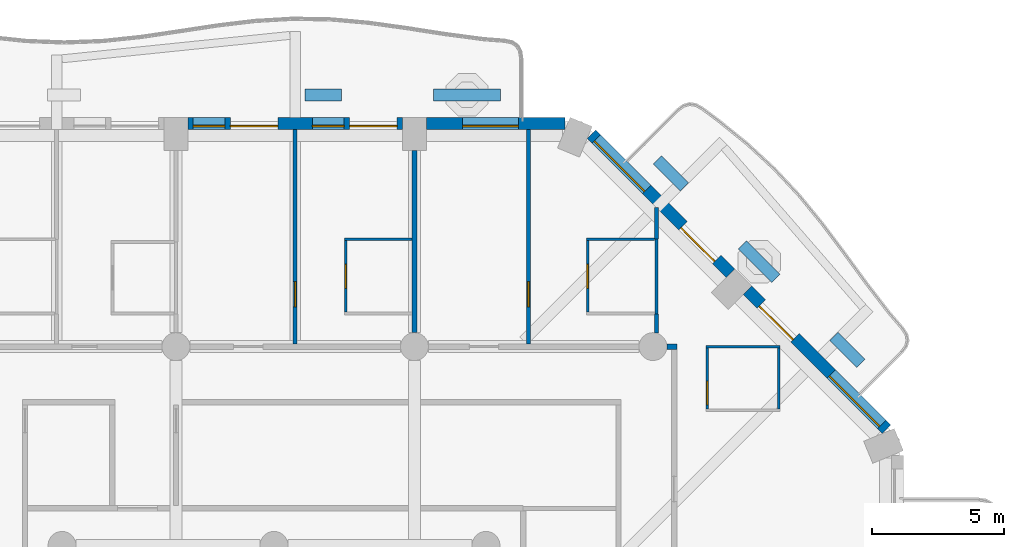
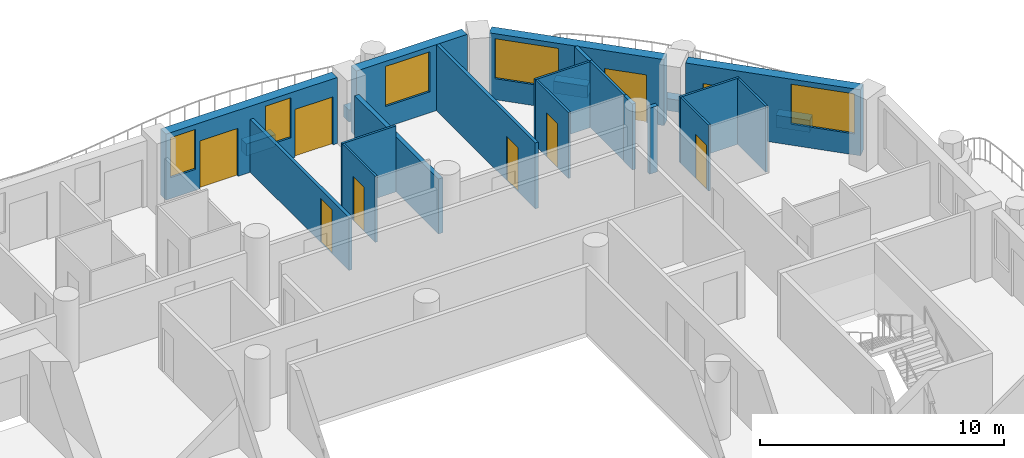
# One storey, part 10 of 20: 23 walls, 9 doors, 5 windows, 14 openings.
"""IFC4 building model written with IfcOpenShell, lengths in metres."""

from ifc_helpers import new_model, si_unit, direction, frame, frame_2d, origin, place, context, subcontext, project, spatial, rectangle, extrude, material, layer, layer_set, type_object, element, fill, save


model = new_model("IFC4")

# Units and contexts
model_context = context("Model", 3, precision=1e-05, world=origin(), true_north=direction((0.0, 1.0)))
body_context = subcontext(model_context, "Body", "Model", "MODEL_VIEW")
ifc_project = project(units=[si_unit("LENGTHUNIT", "METRE"), si_unit("AREAUNIT", "SQUARE_METRE"), si_unit("VOLUMEUNIT", "CUBIC_METRE"), si_unit("PLANEANGLEUNIT", "RADIAN"), si_unit("MASSUNIT", "GRAM", prefix="KILO")], contexts=[model_context])

# Site, building, storey
site_placement = place(None, origin())
site = spatial("IfcSite", under=ifc_project, at=site_placement, CompositionType="ELEMENT")
building_placement = place(site_placement, origin())
building = spatial("IfcBuilding", under=site, at=building_placement, Name="Cypress Arch Tower", CompositionType="ELEMENT")
storey_placement = place(building_placement, frame((0.0, 0.0, 109.5)))
storey = spatial("IfcBuildingStorey", under=building, at=storey_placement, Name="L22", CompositionType="ELEMENT", Elevation=109.5)

# Walls
ifc_material_1 = material(Name="Concrete C40/50, waterproofed", Category="concrete")
ifc_layer_1 = layer(ifc_material_1, 0.449951171875)
ifc_layer_set_1 = layer_set([ifc_layer_1], Name="Balcony planter wall PW450")
wall_type_1 = type_object("IfcWallType", Name="Balcony planter wall PW450", PredefinedType="SOLIDWALL", material=ifc_layer_set_1)
wall_1_placement = place(storey_placement, frame((23.150390625, 16.86376953125, 0.0), z_axis=(0.0, 0.0, 1.0), x_axis=(-0.707106781187, 0.707106781187, 0.0)))
element("IfcWall", 1, at=wall_1_placement, inside=storey, type_object=wall_type_1, Name="Balcony planter wall L22-A07.1", PredefinedType="SOLIDWALL", context=body_context, shape_type="SweptSolid", body=[
    extrude(rectangle(XDim=1.44482421875, YDim=0.449951171875, at=frame_2d((0.722412109375, 0.0))), origin(), (0.0, 0.0, 1.0), 0.60009765625),
])
wall_2_placement = place(storey_placement, frame((19.9365234375, 20.07763671875, 0.0), z_axis=(0.0, 0.0, 1.0), x_axis=(-0.707106781187, 0.707106781187, 0.0)))
element("IfcWall", 2, at=wall_2_placement, inside=storey, type_object=wall_type_1, Name="Balcony planter wall L22-A07.2", PredefinedType="SOLIDWALL", context=body_context, shape_type="SweptSolid", body=[
    extrude(rectangle(XDim=1.780517578125, YDim=0.449951171875, at=frame_2d((0.89013671875, 0.0))), origin(), (0.0, 0.0, 1.0), 0.60009765625),
])
wall_3_placement = place(storey_placement, frame((16.485595703125, 23.528564453125, 0.0), z_axis=(0.0, 0.0, 1.0), x_axis=(-0.707022305137, 0.707191247145, 0.0)))
element("IfcWall", 3, at=wall_3_placement, inside=storey, type_object=wall_type_1, Name="Balcony planter wall L22-A07.3", PredefinedType="SOLIDWALL", context=body_context, shape_type="SweptSolid", body=[
    extrude(rectangle(XDim=1.445068359375, YDim=0.449951171875, at=frame_2d((0.72265625, 0.0))), origin(), (0.0, 0.0, 1.0), 0.60009765625),
])
wall_4_placement = place(storey_placement, frame((9.550048828125, 27.0, 0.0), z_axis=(0.0, 0.0, 1.0), x_axis=(-1.0, 0.0, 0.0)))
element("IfcWall", 4, at=wall_4_placement, inside=storey, type_object=wall_type_1, Name="Balcony planter wall L22-A08.1", PredefinedType="SOLIDWALL", context=body_context, shape_type="SweptSolid", body=[
    extrude(rectangle(XDim=2.53759765625, YDim=0.449951171875, at=frame_2d((1.268798828125, 0.0))), origin(), (0.0, 0.0, 1.0), 0.60009765625),
])
wall_5_placement = place(storey_placement, frame((3.550048828125, 27.0, 0.0), z_axis=(0.0, 0.0, 1.0), x_axis=(-1.0, 0.0, 0.0)))
element("IfcWall", 5, at=wall_5_placement, inside=storey, type_object=wall_type_1, Name="Balcony planter wall L22-A08.2", PredefinedType="SOLIDWALL", context=body_context, shape_type="SweptSolid", body=[
    extrude(rectangle(XDim=1.375, YDim=0.449951171875, at=frame_2d((0.6875, 0.0))), origin(), (0.0, 0.0, 1.0), 0.60009765625),
])

# Wall, openings, door, window
ifc_material_2 = material(Name="Brick (red buff blend)", Category="masonry")
ifc_layer_2 = layer(ifc_material_2, 0.449951171875)
ifc_layer_set_2 = layer_set([ifc_layer_2], Name="Brick pier and spandrel wall BW450")
wall_type_2 = type_object("IfcWallType", Name="Brick pier and spandrel wall BW450", PredefinedType="SOLIDWALL", material=ifc_layer_set_2)
wall_6_placement = place(storey_placement, frame((24.11474609375, 14.379150390625, 0.0), z_axis=(0.0, 0.0, 1.0), x_axis=(-0.707106781187, 0.707106781187, 0.0)))
wall_6 = element("IfcWall", 6, at=wall_6_placement, inside=storey, type_object=wall_type_2, Name="Brick wall L22 A07.0", PredefinedType="SOLIDWALL", context=body_context, shape_type="SweptSolid", body=[
    extrude(rectangle(XDim=7.423828125, YDim=0.449951171875, at=frame_2d((3.7119140625, 0.0))), origin(), (0.0, 0.0, 1.0), 3.300048828125),
])
opening_1_placement = place(wall_6_placement, frame((0.253173828125, 0.0, 1.050048828125)))
opening_1 = element("IfcOpeningElement", 7, at=opening_1_placement, cuts=wall_6, Name="Opening W270HD", PredefinedType="OPENING", context=body_context, shape_type="SweptSolid", body=[
    extrude(rectangle(XDim=2.699951171875, YDim=2.0, at=frame_2d((1.35009765625, 1.0))), frame((0.0, 0.23486328125, 0.0), z_axis=(0.0, -1.0, 0.0), x_axis=(1.0, 0.0, 0.0)), (0.0, 0.0, 1.0), 0.469970703125),
])
opening_2_placement = place(wall_6_placement, frame((4.8837890625, 0.0, 0.0)))
opening_2 = element("IfcOpeningElement", 8, at=opening_2_placement, cuts=wall_6, Name="Opening D-L22-A07.0.2", PredefinedType="OPENING", context=body_context, shape_type="SweptSolid", body=[
    extrude(rectangle(XDim=1.800048828125, YDim=2.39990234375, at=frame_2d((0.89990234375, 1.199951171875))), frame((0.0, 0.23486328125, 0.0), z_axis=(0.0, -1.0, 0.0), x_axis=(1.0, 0.0, 0.0)), (0.0, 0.0, 1.0), 0.469970703125),
])
ifc_material_3 = material(Name="Anodised aluminium, bronze finish, laminated low-emissivity double glazing, large-missile impact rated", Category="aluminium")
door_type_1 = type_object("IfcDoorType", Name="Balcony sliding door 1800x2400", OperationType="SLIDING_TO_LEFT", PredefinedType="DOOR", material=ifc_material_3)
door_1_placement = place(opening_2_placement, origin())
door_1 = element("IfcDoor", 9, at=door_1_placement, inside=storey, type_object=door_type_1, Name="Balcony door L22 A07.0.2", OperationType="SLIDING_TO_LEFT", OverallHeight=2.39990234375, OverallWidth=1.800048828125, PredefinedType="DOOR", context=body_context, shape_type="SweptSolid", body=[
    extrude(rectangle(XDim=1.800048828125, YDim=2.39990234375, at=frame_2d((0.89990234375, 1.199951171875))), frame((0.0, 0.1298828125, 0.0), z_axis=(0.0, -1.0, 0.0), x_axis=(1.0, 0.0, 0.0)), (0.0, 0.0, 1.0), 0.050048828125),
])
fill(opening_2, door_1)
ifc_material_4 = material(Name="Anodised aluminium, bronze finish, laminated low-emissivity double glazing, large-missile impact rated", Category="aluminium")
window_type_1 = type_object("IfcWindowType", Name="Window Hotel 2700x2000 debris-rated", PartitioningType="SINGLE_PANEL", PredefinedType="WINDOW", material=ifc_material_4)
window_1_placement = place(opening_1_placement, origin())
window_1 = element("IfcWindow", 10, at=window_1_placement, inside=storey, type_object=window_type_1, Name="Window L22 A07.0.1", OverallHeight=2.0, OverallWidth=2.699951171875, PartitioningType="SINGLE_PANEL", PredefinedType="WINDOW", context=body_context, shape_type="SweptSolid", body=[
    extrude(rectangle(XDim=2.699951171875, YDim=2.0, at=frame_2d((1.35009765625, 1.0))), frame((0.0, 0.135009765625, 0.0), z_axis=(0.0, -1.0, 0.0), x_axis=(1.0, 0.0, 0.0)), (0.0, 0.0, 1.0), 0.06005859375),
])
fill(opening_1, window_1)

wall_7_placement = place(storey_placement, frame((18.228759765625, 20.26513671875, 0.0), z_axis=(0.0, 0.0, 1.0), x_axis=(-0.707106781187, 0.707106781187, 0.0)))
wall_7 = element("IfcWall", 11, at=wall_7_placement, inside=storey, type_object=wall_type_2, Name="Brick wall L22 A07.1", PredefinedType="SOLIDWALL", context=body_context, shape_type="SweptSolid", body=[
    extrude(rectangle(XDim=7.423828125, YDim=0.449951171875, at=frame_2d((3.7119140625, 0.0))), origin(), (0.0, 0.0, 1.0), 3.300048828125),
])
opening_3_placement = place(wall_7_placement, frame((0.740234375, 0.0, 0.0)))
opening_3 = element("IfcOpeningElement", 12, at=opening_3_placement, cuts=wall_7, Name="Opening D-L22-A07.1.1", PredefinedType="OPENING", context=body_context, shape_type="SweptSolid", body=[
    extrude(rectangle(XDim=1.800048828125, YDim=2.39990234375, at=frame_2d((0.89990234375, 1.199951171875))), frame((0.0, 0.23486328125, 0.0), z_axis=(0.0, -1.0, 0.0), x_axis=(1.0, 0.0, 0.0)), (0.0, 0.0, 1.0), 0.469970703125),
])
opening_4_placement = place(wall_7_placement, frame((4.470703125, 0.0, 1.050048828125)))
opening_4 = element("IfcOpeningElement", 13, at=opening_4_placement, cuts=wall_7, Name="Opening W270HD", PredefinedType="OPENING", context=body_context, shape_type="SweptSolid", body=[
    extrude(rectangle(XDim=2.699951171875, YDim=2.0, at=frame_2d((1.35009765625, 1.0))), frame((0.0, 0.23486328125, 0.0), z_axis=(0.0, -1.0, 0.0), x_axis=(1.0, 0.0, 0.0)), (0.0, 0.0, 1.0), 0.469970703125),
])
door_2_placement = place(opening_3_placement, origin())
door_2 = element("IfcDoor", 14, at=door_2_placement, inside=storey, type_object=door_type_1, Name="Balcony door L22 A07.1.1", OperationType="SLIDING_TO_LEFT", OverallHeight=2.39990234375, OverallWidth=1.800048828125, PredefinedType="DOOR", context=body_context, shape_type="SweptSolid", body=[
    extrude(rectangle(XDim=1.800048828125, YDim=2.39990234375, at=frame_2d((0.89990234375, 1.199951171875))), frame((0.0, 0.1298828125, 0.0), z_axis=(0.0, -1.0, 0.0), x_axis=(1.0, 0.0, 0.0)), (0.0, 0.0, 1.0), 0.050048828125),
])
fill(opening_3, door_2)
window_2_placement = place(opening_4_placement, origin())
window_2 = element("IfcWindow", 15, at=window_2_placement, inside=storey, type_object=window_type_1, Name="Window L22 A07.1.2", OverallHeight=2.0, OverallWidth=2.699951171875, PartitioningType="SINGLE_PANEL", PredefinedType="WINDOW", context=body_context, shape_type="SweptSolid", body=[
    extrude(rectangle(XDim=2.699951171875, YDim=2.0, at=frame_2d((1.35009765625, 1.0))), frame((0.0, 0.135009765625, 0.0), z_axis=(0.0, -1.0, 0.0), x_axis=(1.0, 0.0, 0.0)), (0.0, 0.0, 1.0), 0.06005859375),
])
fill(opening_4, window_2)

# Wall, opening, window
wall_8_placement = place(storey_placement, frame((11.98876953125, 25.925048828125, 0.0), z_axis=(0.0, 0.0, 1.0), x_axis=(-1.0, 0.0, 0.0)))
wall_8 = element("IfcWall", 16, at=wall_8_placement, inside=storey, type_object=wall_type_2, Name="Brick wall L22 A08.0", PredefinedType="SOLIDWALL", context=body_context, shape_type="SweptSolid", body=[
    extrude(rectangle(XDim=5.23876953125, YDim=0.449951171875, at=frame_2d((2.619384765625, 0.0))), origin(), (0.0, 0.0, 1.0), 3.300048828125),
])
opening_5_placement = place(wall_8_placement, frame((1.769775390625, 0.0, 1.050048828125)))
opening_5 = element("IfcOpeningElement", 17, at=opening_5_placement, cuts=wall_8, Name="Opening W210HD", PredefinedType="OPENING", context=body_context, shape_type="SweptSolid", body=[
    extrude(rectangle(XDim=2.10009765625, YDim=2.0, at=frame_2d((1.050048828125, 1.0))), frame((0.0, 0.23486328125, 0.0), z_axis=(0.0, -1.0, 0.0), x_axis=(1.0, 0.0, 0.0)), (0.0, 0.0, 1.0), 0.469970703125),
])
ifc_material_5 = material(Name="Anodised aluminium, bronze finish, laminated low-emissivity double glazing, large-missile impact rated", Category="aluminium")
window_type_2 = type_object("IfcWindowType", Name="Window Hotel 2100x2000 debris-rated", PartitioningType="SINGLE_PANEL", PredefinedType="WINDOW", material=ifc_material_5)
window_3_placement = place(opening_5_placement, origin())
window_3 = element("IfcWindow", 18, at=window_3_placement, inside=storey, type_object=window_type_2, Name="Window L22 A08.0.1", OverallHeight=2.0, OverallWidth=2.10009765625, PartitioningType="SINGLE_PANEL", PredefinedType="WINDOW", context=body_context, shape_type="SweptSolid", body=[
    extrude(rectangle(XDim=2.10009765625, YDim=2.0, at=frame_2d((1.050048828125, 1.0))), frame((0.0, 0.135009765625, 0.0), z_axis=(0.0, -1.0, 0.0), x_axis=(1.0, 0.0, 0.0)), (0.0, 0.0, 1.0), 0.06005859375),
])
fill(opening_5, window_3)

# Wall, openings, doors, windows
wall_9_placement = place(storey_placement, frame((5.85009765625, 25.925048828125, 0.0), z_axis=(0.0, 0.0, 1.0), x_axis=(-1.0, 0.0, 0.0)))
wall_9 = element("IfcWall", 19, at=wall_9_placement, inside=storey, type_object=wall_type_2, Name="Brick wall L22 A08.1", PredefinedType="SOLIDWALL", context=body_context, shape_type="SweptSolid", body=[
    extrude(rectangle(XDim=8.10009765625, YDim=0.449951171875, at=frame_2d((4.050048828125, 0.0))), origin(), (0.0, 0.0, 1.0), 3.300048828125),
])
opening_6_placement = place(wall_9_placement, frame((0.199951171875, 0.0, 0.0)))
opening_6 = element("IfcOpeningElement", 20, at=opening_6_placement, cuts=wall_9, Name="Opening D-L22-A08.1.1", PredefinedType="OPENING", context=body_context, shape_type="SweptSolid", body=[
    extrude(rectangle(XDim=1.800048828125, YDim=2.39990234375, at=frame_2d((0.89990234375, 1.199951171875))), frame((0.0, 0.23486328125, 0.0), z_axis=(0.0, -1.0, 0.0), x_axis=(1.0, 0.0, 0.0)), (0.0, 0.0, 1.0), 0.469970703125),
])
opening_7_placement = place(wall_9_placement, frame((2.199951171875, 0.0, 1.050048828125)))
opening_7 = element("IfcOpeningElement", 21, at=opening_7_placement, cuts=wall_9, Name="Opening W120HD", PredefinedType="OPENING", context=body_context, shape_type="SweptSolid", body=[
    extrude(rectangle(XDim=1.199951171875, YDim=2.0, at=frame_2d((0.60009765625, 1.0))), frame((0.0, 0.23486328125, 0.0), z_axis=(0.0, -1.0, 0.0), x_axis=(1.0, 0.0, 0.0)), (0.0, 0.0, 1.0), 0.469970703125),
])
opening_8_placement = place(wall_9_placement, frame((4.699951171875, 0.0, 0.0)))
opening_8 = element("IfcOpeningElement", 22, at=opening_8_placement, cuts=wall_9, Name="Opening D-L22-A08.1.2", PredefinedType="OPENING", context=body_context, shape_type="SweptSolid", body=[
    extrude(rectangle(XDim=1.800048828125, YDim=2.39990234375, at=frame_2d((0.89990234375, 1.199951171875))), frame((0.0, 0.23486328125, 0.0), z_axis=(0.0, -1.0, 0.0), x_axis=(1.0, 0.0, 0.0)), (0.0, 0.0, 1.0), 0.469970703125),
])
opening_9_placement = place(wall_9_placement, frame((6.699951171875, 0.0, 1.050048828125)))
opening_9 = element("IfcOpeningElement", 23, at=opening_9_placement, cuts=wall_9, Name="Opening W120HD", PredefinedType="OPENING", context=body_context, shape_type="SweptSolid", body=[
    extrude(rectangle(XDim=1.199951171875, YDim=2.0, at=frame_2d((0.60009765625, 1.0))), frame((0.0, 0.23486328125, 0.0), z_axis=(0.0, -1.0, 0.0), x_axis=(1.0, 0.0, 0.0)), (0.0, 0.0, 1.0), 0.469970703125),
])
door_3_placement = place(opening_6_placement, origin())
door_3 = element("IfcDoor", 24, at=door_3_placement, inside=storey, type_object=door_type_1, Name="Balcony door L22 A08.1.1", OperationType="SLIDING_TO_LEFT", OverallHeight=2.39990234375, OverallWidth=1.800048828125, PredefinedType="DOOR", context=body_context, shape_type="SweptSolid", body=[
    extrude(rectangle(XDim=1.800048828125, YDim=2.39990234375, at=frame_2d((0.89990234375, 1.199951171875))), frame((0.0, 0.1298828125, 0.0), z_axis=(0.0, -1.0, 0.0), x_axis=(1.0, 0.0, 0.0)), (0.0, 0.0, 1.0), 0.050048828125),
])
fill(opening_6, door_3)
door_4_placement = place(opening_8_placement, origin())
door_4 = element("IfcDoor", 25, at=door_4_placement, inside=storey, type_object=door_type_1, Name="Balcony door L22 A08.1.2", OperationType="SLIDING_TO_LEFT", OverallHeight=2.39990234375, OverallWidth=1.800048828125, PredefinedType="DOOR", context=body_context, shape_type="SweptSolid", body=[
    extrude(rectangle(XDim=1.800048828125, YDim=2.39990234375, at=frame_2d((0.89990234375, 1.199951171875))), frame((0.0, 0.1298828125, 0.0), z_axis=(0.0, -1.0, 0.0), x_axis=(1.0, 0.0, 0.0)), (0.0, 0.0, 1.0), 0.050048828125),
])
fill(opening_8, door_4)
ifc_material_6 = material(Name="Anodised aluminium, bronze finish, laminated low-emissivity double glazing, large-missile impact rated", Category="aluminium")
window_type_3 = type_object("IfcWindowType", Name="Window Hotel 1200x2000 debris-rated", PartitioningType="SINGLE_PANEL", PredefinedType="WINDOW", material=ifc_material_6)
window_4_placement = place(opening_7_placement, origin())
window_4 = element("IfcWindow", 26, at=window_4_placement, inside=storey, type_object=window_type_3, Name="Window L22 A08.1.1", OverallHeight=2.0, OverallWidth=1.199951171875, PartitioningType="SINGLE_PANEL", PredefinedType="WINDOW", context=body_context, shape_type="SweptSolid", body=[
    extrude(rectangle(XDim=1.199951171875, YDim=2.0, at=frame_2d((0.60009765625, 1.0))), frame((0.0, 0.135009765625, 0.0), z_axis=(0.0, -1.0, 0.0), x_axis=(1.0, 0.0, 0.0)), (0.0, 0.0, 1.0), 0.06005859375),
])
fill(opening_7, window_4)
window_5_placement = place(opening_9_placement, origin())
window_5 = element("IfcWindow", 27, at=window_5_placement, inside=storey, type_object=window_type_3, Name="Window L22 A08.1.2", OverallHeight=2.0, OverallWidth=1.199951171875, PartitioningType="SINGLE_PANEL", PredefinedType="WINDOW", context=body_context, shape_type="SweptSolid", body=[
    extrude(rectangle(XDim=1.199951171875, YDim=2.0, at=frame_2d((0.60009765625, 1.0))), frame((0.0, 0.135009765625, 0.0), z_axis=(0.0, -1.0, 0.0), x_axis=(1.0, 0.0, 0.0)), (0.0, 0.0, 1.0), 0.06005859375),
])
fill(opening_9, window_5)

# Wall
ifc_material_7 = material(Name="Concrete blockwork, plastered, rated", Category="masonry")
ifc_layer_3 = layer(ifc_material_7, 0.199951171875)
ifc_layer_set_3 = layer_set([ifc_layer_3], Name="Corridor wall FW200")
wall_type_3 = type_object("IfcWallType", Name="Corridor wall FW200", PredefinedType="PARTITIONING", material=ifc_layer_set_3)
wall_10_placement = place(storey_placement, frame((15.824951171875, 17.5, 0.0), z_axis=(0.0, 0.0, 1.0), x_axis=(1.0, 0.0, 0.0)))
element("IfcWall", 28, at=wall_10_placement, inside=storey, type_object=wall_type_3, Name="Corridor wall", PredefinedType="PARTITIONING", context=body_context, shape_type="SweptSolid", body=[
    extrude(rectangle(XDim=0.375, YDim=0.199951171875, at=frame_2d((0.1875, 0.0))), origin(), (0.0, 0.0, 1.0), 3.300048828125),
])

# Wall, opening, door
ifc_material_8 = material(Name="Blockwork, plastered both sides", Category="masonry")
ifc_layer_4 = layer(ifc_material_8, 0.14990234375)
ifc_layer_set_4 = layer_set([ifc_layer_4], Name="Partition PW150")
wall_type_4 = type_object("IfcWallType", Name="Partition PW150", PredefinedType="PARTITIONING", material=ifc_layer_set_4)
wall_11_placement = place(storey_placement, frame((1.800048828125, 17.60009765625, 0.0), z_axis=(0.0, 0.0, 1.0), x_axis=(0.0, 1.0, 0.0)))
wall_11 = element("IfcWall", 29, at=wall_11_placement, inside=storey, type_object=wall_type_4, Name="Partition", PredefinedType="PARTITIONING", context=body_context, shape_type="SweptSolid", body=[
    extrude(rectangle(XDim=8.099853515625, YDim=0.14990234375, at=frame_2d((4.0498046875, 0.0))), origin(), (0.0, 0.0, 1.0), 2.64990234375),
])
opening_10_placement = place(wall_11_placement, frame((1.39990234375, 0.0, 0.0)))
opening_10 = element("IfcOpeningElement", 30, at=opening_10_placement, cuts=wall_11, Name="Opening D12", PredefinedType="OPENING", context=body_context, shape_type="SweptSolid", body=[
    extrude(rectangle(XDim=0.949951171875, YDim=2.199951171875, at=frame_2d((0.47509765625, 1.10009765625))), frame((0.0, 0.0849609375, 0.0), z_axis=(0.0, -1.0, 0.0), x_axis=(1.0, 0.0, 0.0)), (0.0, 0.0, 1.0), 0.169921875),
])
ifc_material_9 = material(Name="Timber flush door", Category="wood")
door_type_2 = type_object("IfcDoorType", Name="Room door D12 950x2200", OperationType="SINGLE_SWING_LEFT", PredefinedType="DOOR", material=ifc_material_9)
door_5_placement = place(opening_10_placement, origin())
door_5 = element("IfcDoor", 31, at=door_5_placement, inside=storey, type_object=door_type_2, Name="Room door", OperationType="SINGLE_SWING_LEFT", OverallHeight=2.199951171875, OverallWidth=0.949951171875, PredefinedType="DOOR", context=body_context, shape_type="SweptSolid", body=[
    extrude(rectangle(XDim=0.949951171875, YDim=2.199951171875, at=frame_2d((0.47509765625, 1.10009765625))), frame((0.0, 0.02490234375, 0.0), z_axis=(0.0, -1.0, 0.0), x_axis=(1.0, 0.0, 0.0)), (0.0, 0.0, 1.0), 0.050048828125),
])
fill(opening_10, door_5)

wall_12_placement = place(storey_placement, frame((10.60009765625, 17.60009765625, 0.0), z_axis=(0.0, 0.0, 1.0), x_axis=(0.0, 1.0, 0.0)))
wall_12 = element("IfcWall", 32, at=wall_12_placement, inside=storey, type_object=wall_type_4, Name="Partition", PredefinedType="PARTITIONING", context=body_context, shape_type="SweptSolid", body=[
    extrude(rectangle(XDim=8.099853515625, YDim=0.14990234375, at=frame_2d((4.0498046875, 0.0))), origin(), (0.0, 0.0, 1.0), 3.300048828125),
])
opening_11_placement = place(wall_12_placement, frame((1.39990234375, 0.0, 0.0)))
opening_11 = element("IfcOpeningElement", 33, at=opening_11_placement, cuts=wall_12, Name="Opening D12", PredefinedType="OPENING", context=body_context, shape_type="SweptSolid", body=[
    extrude(rectangle(XDim=0.949951171875, YDim=2.199951171875, at=frame_2d((0.47509765625, 1.10009765625))), frame((0.0, 0.0849609375, 0.0), z_axis=(0.0, -1.0, 0.0), x_axis=(1.0, 0.0, 0.0)), (0.0, 0.0, 1.0), 0.169921875),
])
door_6_placement = place(opening_11_placement, origin())
door_6 = element("IfcDoor", 34, at=door_6_placement, inside=storey, type_object=door_type_2, Name="Room door", OperationType="SINGLE_SWING_LEFT", OverallHeight=2.199951171875, OverallWidth=0.949951171875, PredefinedType="DOOR", context=body_context, shape_type="SweptSolid", body=[
    extrude(rectangle(XDim=0.949951171875, YDim=2.199951171875, at=frame_2d((0.47509765625, 1.10009765625))), frame((0.0, 0.02490234375, 0.0), z_axis=(0.0, -1.0, 0.0), x_axis=(1.0, 0.0, 0.0)), (0.0, 0.0, 1.0), 0.050048828125),
])
fill(opening_11, door_6)

# Walls
wall_13_placement = place(storey_placement, frame((15.431884765625, 18.015869140625, 0.0), z_axis=(0.0, 0.0, 1.0), x_axis=(0.0, 1.0, 0.0)))
element("IfcWall", 35, at=wall_13_placement, inside=storey, type_object=wall_type_4, Name="Partition", PredefinedType="PARTITIONING", context=body_context, shape_type="SweptSolid", body=[
    extrude(rectangle(XDim=0.714111328125, YDim=0.14990234375, at=frame_2d((0.35693359375, 0.0))), origin(), (0.0, 0.0, 1.0), 3.300048828125),
])
wall_14_placement = place(storey_placement, frame((15.431884765625, 21.570068359375, 0.0), z_axis=(0.0, 0.0, 1.0), x_axis=(0.0, 1.0, 0.0)))
element("IfcWall", 36, at=wall_14_placement, inside=storey, type_object=wall_type_4, Name="Partition", PredefinedType="PARTITIONING", context=body_context, shape_type="SweptSolid", body=[
    extrude(rectangle(XDim=1.173583984375, YDim=0.14990234375, at=frame_2d((0.5869140625, 0.0))), origin(), (0.0, 0.0, 1.0), 3.300048828125),
])
ifc_material_10 = material(Name="Dense blockwork, plastered both sides, acoustic and rated", Category="masonry")
ifc_layer_5 = layer(ifc_material_10, 0.199951171875)
ifc_layer_set_5 = layer_set([ifc_layer_5], Name="Party wall PW200")
wall_type_5 = type_object("IfcWallType", Name="Party wall PW200", PredefinedType="PARTITIONING", material=ifc_layer_set_5)
wall_15_placement = place(storey_placement, frame((6.300048828125, 18.02490234375, 0.0), z_axis=(0.0, 0.0, 1.0), x_axis=(0.0, 1.0, 0.0)))
element("IfcWall", 37, at=wall_15_placement, inside=storey, type_object=wall_type_5, Name="Party wall", PredefinedType="PARTITIONING", context=body_context, shape_type="SweptSolid", body=[
    extrude(rectangle(XDim=6.875, YDim=0.199951171875, at=frame_2d((3.4375, 0.0))), origin(), (0.0, 0.0, 1.0), 2.75),
])

# Wall, opening, door
ifc_material_11 = material(Name="Moisture resistant board on steel studs, tiled", Category="steel")
ifc_layer_6 = layer(ifc_material_11, 0.10009765625)
ifc_layer_set_6 = layer_set([ifc_layer_6], Name="Wet wall PW100")
wall_type_6 = type_object("IfcWallType", Name="Wet wall PW100", PredefinedType="PARTITIONING", material=ifc_layer_set_6)
wall_16_placement = place(storey_placement, frame((3.7041015625, 18.800048828125, 0.0), z_axis=(0.0, 0.0, 1.0), x_axis=(0.0, 1.0, 0.0)))
wall_16 = element("IfcWall", 38, at=wall_16_placement, inside=storey, type_object=wall_type_6, Name="Wet wall", PredefinedType="PARTITIONING", context=body_context, shape_type="SweptSolid", body=[
    extrude(rectangle(XDim=2.699951171875, YDim=0.10009765625, at=frame_2d((1.35009765625, 0.0))), origin(), (0.0, 0.0, 1.0), 3.300048828125),
])
opening_12_placement = place(wall_16_placement, frame((0.89990234375, 0.0, 0.0)))
opening_12 = element("IfcOpeningElement", 39, at=opening_12_placement, cuts=wall_16, Name="Opening D03", PredefinedType="OPENING", context=body_context, shape_type="SweptSolid", body=[
    extrude(rectangle(XDim=0.89990234375, YDim=2.199951171875, at=frame_2d((0.449951171875, 1.10009765625))), frame((0.0, 0.06005859375, 0.0), z_axis=(0.0, -1.0, 0.0), x_axis=(1.0, 0.0, 0.0)), (0.0, 0.0, 1.0), 0.1201171875),
])
ifc_material_12 = material(Name="Timber flush door, moisture resistant", Category="wood")
door_type_3 = type_object("IfcDoorType", Name="Bathroom door D03 900x2200", OperationType="SINGLE_SWING_LEFT", PredefinedType="DOOR", material=ifc_material_12)
door_7_placement = place(opening_12_placement, origin())
door_7 = element("IfcDoor", 40, at=door_7_placement, inside=storey, type_object=door_type_3, Name="Bathroom door", OperationType="SINGLE_SWING_LEFT", OverallHeight=2.199951171875, OverallWidth=0.89990234375, PredefinedType="DOOR", context=body_context, shape_type="SweptSolid", body=[
    extrude(rectangle(XDim=0.89990234375, YDim=2.199951171875, at=frame_2d((0.449951171875, 1.10009765625))), frame((0.0, 0.02490234375, 0.0), z_axis=(0.0, -1.0, 0.0), x_axis=(1.0, 0.0, 0.0)), (0.0, 0.0, 1.0), 0.050048828125),
])
fill(opening_12, door_7)

# Wall
wall_17_placement = place(storey_placement, frame((3.654052734375, 21.550048828125, 0.0), z_axis=(0.0, 0.0, 1.0), x_axis=(1.0, 0.0, 0.0)))
element("IfcWall", 41, at=wall_17_placement, inside=storey, type_object=wall_type_6, Name="Wet wall", PredefinedType="PARTITIONING", context=body_context, shape_type="SweptSolid", body=[
    extrude(rectangle(XDim=2.5458984375, YDim=0.10009765625, at=frame_2d((1.27294921875, 0.0))), origin(), (0.0, 0.0, 1.0), 3.300048828125),
])

# Wall, opening, door
wall_18_placement = place(storey_placement, frame((12.8359375, 18.800048828125, 0.0), z_axis=(0.0, 0.0, 1.0), x_axis=(0.0, 1.0, 0.0)))
wall_18 = element("IfcWall", 42, at=wall_18_placement, inside=storey, type_object=wall_type_6, Name="Wet wall", PredefinedType="PARTITIONING", context=body_context, shape_type="SweptSolid", body=[
    extrude(rectangle(XDim=2.699951171875, YDim=0.10009765625, at=frame_2d((1.35009765625, 0.0))), origin(), (0.0, 0.0, 1.0), 3.300048828125),
])
opening_13_placement = place(wall_18_placement, frame((0.89990234375, 0.0, 0.0)))
opening_13 = element("IfcOpeningElement", 43, at=opening_13_placement, cuts=wall_18, Name="Opening D03", PredefinedType="OPENING", context=body_context, shape_type="SweptSolid", body=[
    extrude(rectangle(XDim=0.89990234375, YDim=2.199951171875, at=frame_2d((0.449951171875, 1.10009765625))), frame((0.0, 0.06005859375, 0.0), z_axis=(0.0, -1.0, 0.0), x_axis=(1.0, 0.0, 0.0)), (0.0, 0.0, 1.0), 0.1201171875),
])
door_8_placement = place(opening_13_placement, origin())
door_8 = element("IfcDoor", 44, at=door_8_placement, inside=storey, type_object=door_type_3, Name="Bathroom door", OperationType="SINGLE_SWING_LEFT", OverallHeight=2.199951171875, OverallWidth=0.89990234375, PredefinedType="DOOR", context=body_context, shape_type="SweptSolid", body=[
    extrude(rectangle(XDim=0.89990234375, YDim=2.199951171875, at=frame_2d((0.449951171875, 1.10009765625))), frame((0.0, 0.02490234375, 0.0), z_axis=(0.0, -1.0, 0.0), x_axis=(1.0, 0.0, 0.0)), (0.0, 0.0, 1.0), 0.050048828125),
])
fill(opening_13, door_8)

# Walls
wall_19_placement = place(storey_placement, frame((12.785888671875, 21.550048828125, 0.0), z_axis=(0.0, 0.0, 1.0), x_axis=(1.0, 0.0, 0.0)))
element("IfcWall", 45, at=wall_19_placement, inside=storey, type_object=wall_type_6, Name="Wet wall", PredefinedType="PARTITIONING", context=body_context, shape_type="SweptSolid", body=[
    extrude(rectangle(XDim=2.571044921875, YDim=0.10009765625, at=frame_2d((1.28564453125, 0.0))), origin(), (0.0, 0.0, 1.0), 3.300048828125),
])
wall_20_placement = place(storey_placement, frame((15.431884765625, 18.72998046875, 0.0), z_axis=(0.0, 0.0, 1.0), x_axis=(0.0, 1.0, 0.0)))
element("IfcWall", 46, at=wall_20_placement, inside=storey, type_object=wall_type_6, Name="Wet wall", PredefinedType="PARTITIONING", context=body_context, shape_type="SweptSolid", body=[
    extrude(rectangle(XDim=2.840087890625, YDim=0.10009765625, at=frame_2d((1.419921875, 0.0))), origin(), (0.0, 0.0, 1.0), 3.300048828125),
])

# Wall, opening, door
wall_21_placement = place(storey_placement, frame((17.35009765625, 15.14990234375, 0.0), z_axis=(0.0, 0.0, 1.0), x_axis=(0.0, 1.0, 0.0)))
wall_21 = element("IfcWall", 47, at=wall_21_placement, inside=storey, type_object=wall_type_6, Name="Wet wall", PredefinedType="PARTITIONING", context=body_context, shape_type="SweptSolid", body=[
    extrude(rectangle(XDim=2.300048828125, YDim=0.10009765625, at=frame_2d((1.14990234375, 0.0))), origin(), (0.0, 0.0, 1.0), 3.300048828125),
])
opening_14_placement = place(wall_21_placement, frame((0.14990234375, 0.0, 0.0)))
opening_14 = element("IfcOpeningElement", 48, at=opening_14_placement, cuts=wall_21, Name="Opening D03", PredefinedType="OPENING", context=body_context, shape_type="SweptSolid", body=[
    extrude(rectangle(XDim=0.89990234375, YDim=2.199951171875, at=frame_2d((0.449951171875, 1.10009765625))), frame((0.0, 0.06005859375, 0.0), z_axis=(0.0, -1.0, 0.0), x_axis=(1.0, 0.0, 0.0)), (0.0, 0.0, 1.0), 0.1201171875),
])
door_9_placement = place(opening_14_placement, origin())
door_9 = element("IfcDoor", 49, at=door_9_placement, inside=storey, type_object=door_type_3, Name="Bathroom door", OperationType="SINGLE_SWING_RIGHT", OverallHeight=2.199951171875, OverallWidth=0.89990234375, PredefinedType="DOOR", context=body_context, shape_type="SweptSolid", body=[
    extrude(rectangle(XDim=0.89990234375, YDim=2.199951171875, at=frame_2d((0.449951171875, 1.10009765625))), frame((0.0, 0.02490234375, 0.0), z_axis=(0.0, -1.0, 0.0), x_axis=(1.0, 0.0, 0.0)), (0.0, 0.0, 1.0), 0.050048828125),
])
fill(opening_14, door_9)

# Walls
wall_22_placement = place(storey_placement, frame((17.300048828125, 17.5, 0.0), z_axis=(0.0, 0.0, 1.0), x_axis=(1.0, 0.0, 0.0)))
element("IfcWall", 50, at=wall_22_placement, inside=storey, type_object=wall_type_6, Name="Wet wall", PredefinedType="PARTITIONING", context=body_context, shape_type="SweptSolid", body=[
    extrude(rectangle(XDim=2.800048828125, YDim=0.10009765625, at=frame_2d((1.39990234375, 0.0))), origin(), (0.0, 0.0, 1.0), 3.300048828125),
])
wall_23_placement = place(storey_placement, frame((20.050048828125, 15.14990234375, 0.0), z_axis=(0.0, 0.0, 1.0), x_axis=(0.0, 1.0, 0.0)))
element("IfcWall", 51, at=wall_23_placement, inside=storey, type_object=wall_type_6, Name="Wet wall", PredefinedType="PARTITIONING", context=body_context, shape_type="SweptSolid", body=[
    extrude(rectangle(XDim=2.300048828125, YDim=0.10009765625, at=frame_2d((1.14990234375, 0.0))), origin(), (0.0, 0.0, 1.0), 3.300048828125),
])

save(model, "model.ifc")
